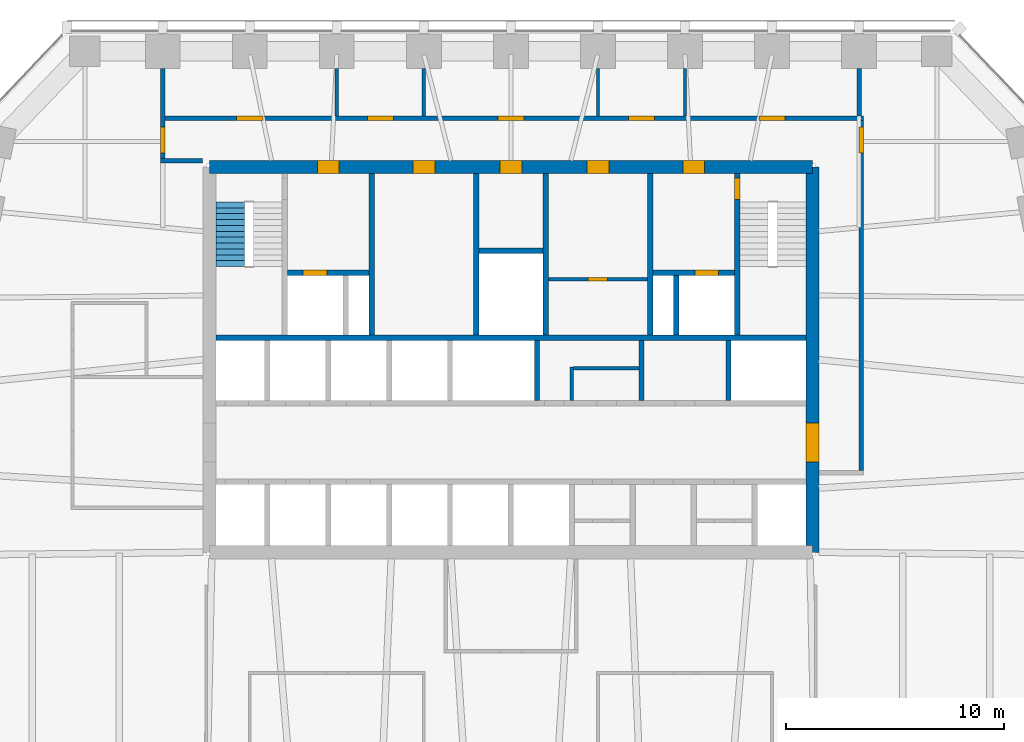
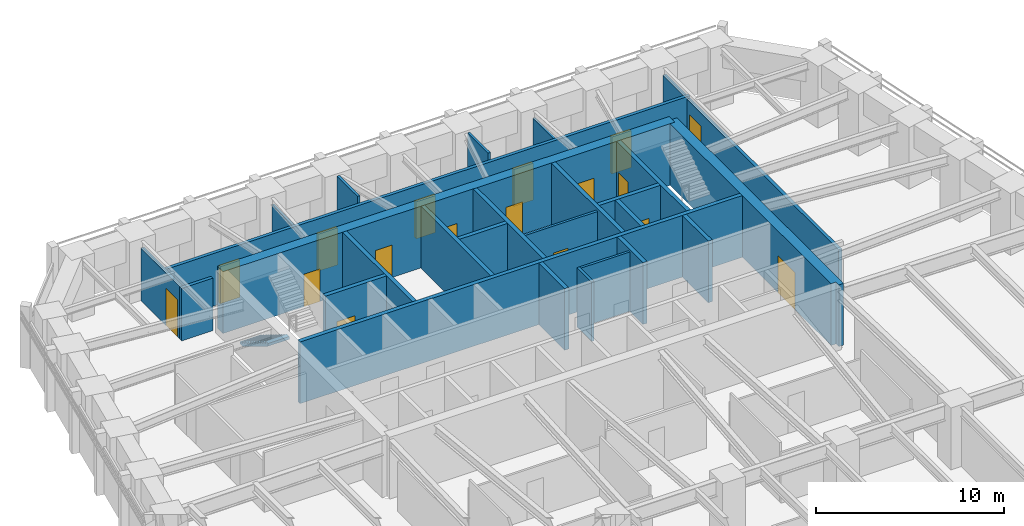
# One storey, part 7 of 10: 27 walls, 17 doors, 1 stair flight, 17 openings, 1 element without a shape of its own.
"""IFC4 building model written with IfcOpenShell, lengths in metres."""

from ifc_helpers import new_model, si_unit, direction, frame, frame_2d, origin, place, context, subcontext, project, spatial, polyline, rectangle, outline, extrude, material, layer, layer_set, type_object, element, fill, aggregate, save


model = new_model("IFC4")

# Units and contexts
model_context = context("Model", 3, precision=1e-05, world=origin(), true_north=direction((0.0, 1.0)))
body_context = subcontext(model_context, "Body", "Model", "MODEL_VIEW")
ifc_project = project(units=[si_unit("LENGTHUNIT", "METRE"), si_unit("AREAUNIT", "SQUARE_METRE"), si_unit("VOLUMEUNIT", "CUBIC_METRE"), si_unit("PLANEANGLEUNIT", "RADIAN"), si_unit("MASSUNIT", "GRAM", prefix="KILO")], contexts=[model_context])

# Site, building, storey
site_placement = place(None, origin())
site = spatial("IfcSite", under=ifc_project, at=site_placement, CompositionType="ELEMENT")
building_placement = place(site_placement, origin())
building = spatial("IfcBuilding", under=site, at=building_placement, Name="Isbrekke Arena Tower", CompositionType="ELEMENT")
storey_placement = place(building_placement, frame((0.0, 0.0, 234.0)))
storey = spatial("IfcBuildingStorey", under=building, at=storey_placement, Name="L54", CompositionType="ELEMENT", Elevation=234.0)

# Wall, opening, door
ifc_material_1 = material(Name="Concrete B55 (C55/67)", Category="concrete")
ifc_layer_1 = layer(ifc_material_1, 0.60009765625)
ifc_layer_set_1 = layer_set([ifc_layer_1], Name="CW4 CORE WALL 600")
wall_type_1 = type_object("IfcWallType", Name="CW4 CORE WALL 600", PredefinedType="SHEAR", material=ifc_layer_set_1)
wall_1_placement = place(storey_placement, frame((13.85009765625, 6.14990234375, 0.0), z_axis=(0.0, 0.0, 1.0), x_axis=(0.0, 1.0, 0.0)))
wall_1 = element("IfcWall", 1, at=wall_1_placement, inside=storey, type_object=wall_type_1, Name="Core wall E L54", PredefinedType="SHEAR", context=body_context, shape_type="SweptSolid", body=[
    extrude(outline(polyline([(0.0, -0.300048828125), (17.7001953125, -0.300048828125), (17.7001953125, 0.0), (17.400146484375, 0.0), (17.400146484375, 0.300048828125), (0.300048828125, 0.300048828125), (0.300048828125, 0.0), (0.0, 0.0), (0.0, -0.300048828125)])), origin(), (0.0, 0.0, 1.0), 4.0),
])
opening_1_placement = place(wall_1_placement, frame((4.14990234375, 0.0, 0.0)))
opening_1 = element("IfcOpeningElement", 2, at=opening_1_placement, cuts=wall_1, Name="Opening D1", PredefinedType="OPENING", context=body_context, shape_type="SweptSolid", body=[
    extrude(rectangle(XDim=1.800048828125, YDim=2.39990234375, at=frame_2d((0.89990234375, 1.199951171875))), frame((0.0, 0.31494140625, 0.0), z_axis=(0.0, -1.0, 0.0), x_axis=(1.0, 0.0, 0.0)), (0.0, 0.0, 1.0), 0.6298828125),
])
ifc_material_2 = material(Name="Steel-framed glazed fire door", Category="steel")
door_type_1 = type_object("IfcDoorType", Name="D1 CORE LOBBY DOOR 1800 x 2400", OperationType="DOUBLE_DOOR_SINGLE_SWING", PredefinedType="DOOR", material=ifc_material_2)
door_1_placement = place(opening_1_placement, origin())
door_1 = element("IfcDoor", 3, at=door_1_placement, inside=storey, type_object=door_type_1, Name="D1 lift lobby door east L54", OperationType="DOUBLE_DOOR_SINGLE_SWING", OverallHeight=2.39990234375, OverallWidth=1.800048828125, PredefinedType="DOOR", context=body_context, shape_type="SweptSolid", body=[
    extrude(rectangle(XDim=1.800048828125, YDim=2.39990234375, at=frame_2d((0.89990234375, 1.199951171875))), frame((0.0, 0.2998046875, 0.0), z_axis=(0.0, -1.0, 0.0), x_axis=(1.0, 0.0, 0.0)), (0.0, 0.0, 1.0), 0.599609375),
])
fill(opening_1, door_1)

# Wall, openings, doors
wall_2_placement = place(storey_placement, frame((13.85009765625, 23.85009765625, 0.0), z_axis=(0.0, 0.0, 1.0), x_axis=(-1.0, 0.0, 0.0)))
wall_2 = element("IfcWall", 4, at=wall_2_placement, inside=storey, type_object=wall_type_1, Name="Core wall N L54", PredefinedType="SHEAR", context=body_context, shape_type="SweptSolid", body=[
    extrude(rectangle(XDim=27.7001953125, YDim=0.60009765625, at=frame_2d((13.85009765625, 0.0))), origin(), (0.0, 0.0, 1.0), 4.0),
])
opening_2_placement = place(wall_2_placement, frame((21.75, 0.0, 0.0)))
opening_2 = element("IfcOpeningElement", 5, at=opening_2_placement, cuts=wall_2, Name="Opening D3", PredefinedType="OPENING", context=body_context, shape_type="SweptSolid", body=[
    extrude(rectangle(XDim=1.0, YDim=2.10009765625, at=frame_2d((0.5, 1.050048828125))), frame((0.0, 0.31494140625, 0.0), z_axis=(0.0, -1.0, 0.0), x_axis=(1.0, 0.0, 0.0)), (0.0, 0.0, 1.0), 0.6298828125),
])
opening_3_placement = place(wall_2_placement, frame((4.949951171875, 0.0, 0.0)))
opening_3 = element("IfcOpeningElement", 6, at=opening_3_placement, cuts=wall_2, Name="Opening D3", PredefinedType="OPENING", context=body_context, shape_type="SweptSolid", body=[
    extrude(rectangle(XDim=1.0, YDim=2.10009765625, at=frame_2d((0.5, 1.050048828125))), frame((0.0, 0.31494140625, 0.0), z_axis=(0.0, -1.0, 0.0), x_axis=(1.0, 0.0, 0.0)), (0.0, 0.0, 1.0), 0.6298828125),
])
opening_4_placement = place(wall_2_placement, frame((17.35009765625, 0.0, 0.0)))
opening_4 = element("IfcOpeningElement", 7, at=opening_4_placement, cuts=wall_2, Name="Opening D4", PredefinedType="OPENING", context=body_context, shape_type="SweptSolid", body=[
    extrude(rectangle(XDim=1.0, YDim=2.10009765625, at=frame_2d((0.5, 1.050048828125))), frame((0.0, 0.31494140625, 0.0), z_axis=(0.0, -1.0, 0.0), x_axis=(1.0, 0.0, 0.0)), (0.0, 0.0, 1.0), 0.6298828125),
])
opening_5_placement = place(wall_2_placement, frame((13.35009765625, 0.0, 0.0)))
opening_5 = element("IfcOpeningElement", 8, at=opening_5_placement, cuts=wall_2, Name="Opening D4", PredefinedType="OPENING", context=body_context, shape_type="SweptSolid", body=[
    extrude(rectangle(XDim=1.0, YDim=2.10009765625, at=frame_2d((0.5, 1.050048828125))), frame((0.0, 0.31494140625, 0.0), z_axis=(0.0, -1.0, 0.0), x_axis=(1.0, 0.0, 0.0)), (0.0, 0.0, 1.0), 0.6298828125),
])
opening_6_placement = place(wall_2_placement, frame((9.35009765625, 0.0, 0.0)))
opening_6 = element("IfcOpeningElement", 9, at=opening_6_placement, cuts=wall_2, Name="Opening D4", PredefinedType="OPENING", context=body_context, shape_type="SweptSolid", body=[
    extrude(rectangle(XDim=1.0, YDim=2.10009765625, at=frame_2d((0.5, 1.050048828125))), frame((0.0, 0.31494140625, 0.0), z_axis=(0.0, -1.0, 0.0), x_axis=(1.0, 0.0, 0.0)), (0.0, 0.0, 1.0), 0.6298828125),
])
ifc_material_3 = material(Name="Steel fire door", Category="steel")
door_type_2 = type_object("IfcDoorType", Name="D3 FIRE LOBBY DOOR 1000 x 2100", OperationType="SINGLE_SWING_RIGHT", PredefinedType="DOOR", material=ifc_material_3)
door_2_placement = place(opening_2_placement, origin())
door_2 = element("IfcDoor", 10, at=door_2_placement, inside=storey, type_object=door_type_2, Name="D3 fire-fighting lobby door L54", OperationType="SINGLE_SWING_RIGHT", OverallHeight=2.10009765625, OverallWidth=1.0, PredefinedType="DOOR", context=body_context, shape_type="SweptSolid", body=[
    extrude(rectangle(XDim=1.0, YDim=2.10009765625, at=frame_2d((0.5, 1.050048828125))), frame((0.0, 0.2998046875, 0.0), z_axis=(0.0, -1.0, 0.0), x_axis=(1.0, 0.0, 0.0)), (0.0, 0.0, 1.0), 0.599609375),
])
fill(opening_2, door_2)
door_3_placement = place(opening_3_placement, origin())
door_3 = element("IfcDoor", 11, at=door_3_placement, inside=storey, type_object=door_type_2, Name="D3 fire-fighting lobby door L54", OperationType="SINGLE_SWING_RIGHT", OverallHeight=2.10009765625, OverallWidth=1.0, PredefinedType="DOOR", context=body_context, shape_type="SweptSolid", body=[
    extrude(rectangle(XDim=1.0, YDim=2.10009765625, at=frame_2d((0.5, 1.050048828125))), frame((0.0, 0.2998046875, 0.0), z_axis=(0.0, -1.0, 0.0), x_axis=(1.0, 0.0, 0.0)), (0.0, 0.0, 1.0), 0.599609375),
])
fill(opening_3, door_3)
ifc_material_4 = material(Name="Timber door", Category="wood")
door_type_3 = type_object("IfcDoorType", Name="D4 WC DOOR 1000 x 2100", OperationType="SINGLE_SWING_LEFT", PredefinedType="DOOR", material=ifc_material_4)
door_4_placement = place(opening_4_placement, origin())
door_4 = element("IfcDoor", 12, at=door_4_placement, inside=storey, type_object=door_type_3, Name="D4 wc female door L54", OperationType="SINGLE_SWING_LEFT", OverallHeight=2.10009765625, OverallWidth=1.0, PredefinedType="DOOR", context=body_context, shape_type="SweptSolid", body=[
    extrude(rectangle(XDim=1.0, YDim=2.10009765625, at=frame_2d((0.5, 1.050048828125))), frame((0.0, 0.2998046875, 0.0), z_axis=(0.0, -1.0, 0.0), x_axis=(1.0, 0.0, 0.0)), (0.0, 0.0, 1.0), 0.599609375),
])
fill(opening_4, door_4)
door_5_placement = place(opening_5_placement, origin())
door_5 = element("IfcDoor", 13, at=door_5_placement, inside=storey, type_object=door_type_3, Name="D4 accessible wc door L54", OperationType="SINGLE_SWING_LEFT", OverallHeight=2.10009765625, OverallWidth=1.0, PredefinedType="DOOR", context=body_context, shape_type="SweptSolid", body=[
    extrude(rectangle(XDim=1.0, YDim=2.10009765625, at=frame_2d((0.5, 1.050048828125))), frame((0.0, 0.2998046875, 0.0), z_axis=(0.0, -1.0, 0.0), x_axis=(1.0, 0.0, 0.0)), (0.0, 0.0, 1.0), 0.599609375),
])
fill(opening_5, door_5)
door_6_placement = place(opening_6_placement, origin())
door_6 = element("IfcDoor", 14, at=door_6_placement, inside=storey, type_object=door_type_3, Name="D4 wc male door L54", OperationType="SINGLE_SWING_LEFT", OverallHeight=2.10009765625, OverallWidth=1.0, PredefinedType="DOOR", context=body_context, shape_type="SweptSolid", body=[
    extrude(rectangle(XDim=1.0, YDim=2.10009765625, at=frame_2d((0.5, 1.050048828125))), frame((0.0, 0.2998046875, 0.0), z_axis=(0.0, -1.0, 0.0), x_axis=(1.0, 0.0, 0.0)), (0.0, 0.0, 1.0), 0.599609375),
])
fill(opening_6, door_6)

# Walls
ifc_material_5 = material(Name="Concrete B45 (C45/55)", Category="concrete")
ifc_layer_2 = layer(ifc_material_5, 0.25)
ifc_layer_set_2 = layer_set([ifc_layer_2], Name="CW6 SHAFT WALL 250")
wall_type_2 = type_object("IfcWallType", Name="CW6 SHAFT WALL 250", PredefinedType="SHEAR", material=ifc_layer_set_2)
wall_3_placement = place(storey_placement, frame((-13.550048828125, 16.0, 0.0), z_axis=(0.0, 0.0, 1.0), x_axis=(1.0, 0.0, 0.0)))
element("IfcWall", 15, at=wall_3_placement, inside=storey, type_object=wall_type_2, Name="Core wall NB L54", PredefinedType="SHEAR", context=body_context, shape_type="SweptSolid", body=[
    extrude(rectangle(XDim=27.10009765625, YDim=0.25, at=frame_2d((13.550048828125, 0.0))), origin(), (0.0, 0.0, 1.0), 4.0),
])
for number, where, z_axis, x_axis, name in (
    (16, (1.199951171875, 13.125, 0.0), (0.0, 0.0, 1.0), (0.0, 1.0, 0.0), "Core wall SN05 L54"),
    (17, (6.0, 13.125, 0.0), (0.0, 0.0, 1.0), (0.0, 1.0, 0.0), "Core wall SN06 L54"),
    (18, (10.0, 13.125, 0.0), (0.0, 0.0, 1.0), (0.0, 1.0, 0.0), "Core wall SN07 L54"),
):
    element("IfcWall", number, at=place(storey_placement, frame(where, z_axis=z_axis, x_axis=x_axis)), inside=storey, type_object=wall_type_2, Name=name, PredefinedType="SHEAR", context=body_context, shape_type="SweptSolid", body=[
        extrude(rectangle(XDim=2.75, YDim=0.25, at=frame_2d((1.375, 0.0))), origin(), (0.0, 0.0, 1.0), 4.0),
    ])
for number, where, z_axis, x_axis, name in (
    (19, (-6.39990234375, 16.125, 0.0), (0.0, 0.0, 1.0), (0.0, 1.0, 0.0), "Core wall NV02 L54"),
    (20, (-1.60009765625, 16.125, 0.0), (0.0, 0.0, 1.0), (0.0, 1.0, 0.0), "Core wall NV03 L54"),
    (21, (1.60009765625, 16.125, 0.0), (0.0, 0.0, 1.0), (0.0, 1.0, 0.0), "Core wall NV04 L54"),
    (22, (6.39990234375, 16.125, 0.0), (0.0, 0.0, 1.0), (0.0, 1.0, 0.0), "Core wall NV05 L54"),
):
    element("IfcWall", number, at=place(storey_placement, frame(where, z_axis=z_axis, x_axis=x_axis)), inside=storey, type_object=wall_type_2, Name=name, PredefinedType="SHEAR", context=body_context, shape_type="SweptSolid", body=[
        extrude(rectangle(XDim=7.425048828125, YDim=0.25, at=frame_2d((3.71240234375, 0.0))), origin(), (0.0, 0.0, 1.0), 4.0),
    ])

# Wall, opening, door
wall_4_placement = place(storey_placement, frame((10.39990234375, 16.125, 0.0), z_axis=(0.0, 0.0, 1.0), x_axis=(0.0, 1.0, 0.0)))
wall_4 = element("IfcWall", 23, at=wall_4_placement, inside=storey, type_object=wall_type_2, Name="Core wall NV06 L54", PredefinedType="SHEAR", context=body_context, shape_type="SweptSolid", body=[
    extrude(rectangle(XDim=7.425048828125, YDim=0.25, at=frame_2d((3.71240234375, 0.0))), origin(), (0.0, 0.0, 1.0), 4.0),
])
opening_7_placement = place(wall_4_placement, frame((6.22509765625, 0.0, 0.0)))
opening_7 = element("IfcOpeningElement", 24, at=opening_7_placement, cuts=wall_4, Name="Opening D2", PredefinedType="OPENING", context=body_context, shape_type="SweptSolid", body=[
    extrude(rectangle(XDim=1.0, YDim=2.10009765625, at=frame_2d((0.5, 1.050048828125))), frame((0.0, 0.139892578125, 0.0), z_axis=(0.0, -1.0, 0.0), x_axis=(1.0, 0.0, 0.0)), (0.0, 0.0, 1.0), 0.27978515625),
])
ifc_material_6 = material(Name="Steel fire door", Category="steel")
door_type_4 = type_object("IfcDoorType", Name="D2 STAIR DOOR 1000 x 2100", OperationType="SINGLE_SWING_LEFT", PredefinedType="DOOR", material=ifc_material_6)
door_7_placement = place(opening_7_placement, origin())
door_7 = element("IfcDoor", 25, at=door_7_placement, inside=storey, type_object=door_type_4, Name="D2 stair door ST2 L54", OperationType="SINGLE_SWING_LEFT", OverallHeight=2.10009765625, OverallWidth=1.0, PredefinedType="DOOR", context=body_context, shape_type="SweptSolid", body=[
    extrude(rectangle(XDim=1.0, YDim=2.10009765625, at=frame_2d((0.5, 1.050048828125))), frame((0.0, 0.124755859375, 0.0), z_axis=(0.0, -1.0, 0.0), x_axis=(1.0, 0.0, 0.0)), (0.0, 0.0, 1.0), 0.24951171875),
])
fill(opening_7, door_7)

wall_5_placement = place(storey_placement, frame((-10.27490234375, 19.0, 0.0), z_axis=(0.0, 0.0, 1.0), x_axis=(1.0, 0.0, 0.0)))
wall_5 = element("IfcWall", 26, at=wall_5_placement, inside=storey, type_object=wall_type_2, Name="Core wall NFW L54", PredefinedType="SHEAR", context=body_context, shape_type="SweptSolid", body=[
    extrude(rectangle(XDim=3.75, YDim=0.25, at=frame_2d((1.875, 0.0))), origin(), (0.0, 0.0, 1.0), 4.0),
])
opening_8_placement = place(wall_5_placement, frame((0.72509765625, 0.0, 0.0)))
opening_8 = element("IfcOpeningElement", 27, at=opening_8_placement, cuts=wall_5, Name="Opening LD2", PredefinedType="OPENING", context=body_context, shape_type="SweptSolid", body=[
    extrude(rectangle(XDim=1.10009765625, YDim=2.10009765625, at=frame_2d((0.550048828125, 1.050048828125))), frame((0.0, 0.139892578125, 0.0), z_axis=(0.0, -1.0, 0.0), x_axis=(1.0, 0.0, 0.0)), (0.0, 0.0, 1.0), 0.27978515625),
])
ifc_material_7 = material(Name="Stainless steel lift landing door", Category="steel")
door_type_5 = type_object("IfcDoorType", Name="LD2 FIRE-FIGHTING LIFT LANDING DOOR 1100 x 2100", OperationType="SLIDING_TO_RIGHT", PredefinedType="DOOR", material=ifc_material_7)
door_8_placement = place(opening_8_placement, origin())
door_8 = element("IfcDoor", 28, at=door_8_placement, inside=storey, type_object=door_type_5, Name="LD2 lift landing door LF L54", OperationType="SLIDING_TO_RIGHT", OverallHeight=2.10009765625, OverallWidth=1.10009765625, PredefinedType="DOOR", context=body_context, shape_type="SweptSolid", body=[
    extrude(rectangle(XDim=1.10009765625, YDim=2.10009765625, at=frame_2d((0.550048828125, 1.050048828125))), frame((0.0, 0.124755859375, 0.0), z_axis=(0.0, -1.0, 0.0), x_axis=(1.0, 0.0, 0.0)), (0.0, 0.0, 1.0), 0.24951171875),
])
fill(opening_8, door_8)

wall_6_placement = place(storey_placement, frame((6.52490234375, 19.0, 0.0), z_axis=(0.0, 0.0, 1.0), x_axis=(1.0, 0.0, 0.0)))
wall_6 = element("IfcWall", 29, at=wall_6_placement, inside=storey, type_object=wall_type_2, Name="Core wall NFE L54", PredefinedType="SHEAR", context=body_context, shape_type="SweptSolid", body=[
    extrude(rectangle(XDim=3.75, YDim=0.25, at=frame_2d((1.875, 0.0))), origin(), (0.0, 0.0, 1.0), 4.0),
])
opening_9_placement = place(wall_6_placement, frame((1.925048828125, 0.0, 0.0)))
opening_9 = element("IfcOpeningElement", 30, at=opening_9_placement, cuts=wall_6, Name="Opening LD2", PredefinedType="OPENING", context=body_context, shape_type="SweptSolid", body=[
    extrude(rectangle(XDim=1.10009765625, YDim=2.10009765625, at=frame_2d((0.550048828125, 1.050048828125))), frame((0.0, 0.139892578125, 0.0), z_axis=(0.0, -1.0, 0.0), x_axis=(1.0, 0.0, 0.0)), (0.0, 0.0, 1.0), 0.27978515625),
])
door_9_placement = place(opening_9_placement, origin())
door_9 = element("IfcDoor", 31, at=door_9_placement, inside=storey, type_object=door_type_5, Name="LD2 lift landing door LF L54", OperationType="SLIDING_TO_RIGHT", OverallHeight=2.10009765625, OverallWidth=1.10009765625, PredefinedType="DOOR", context=body_context, shape_type="SweptSolid", body=[
    extrude(rectangle(XDim=1.10009765625, YDim=2.10009765625, at=frame_2d((0.550048828125, 1.050048828125))), frame((0.0, 0.124755859375, 0.0), z_axis=(0.0, -1.0, 0.0), x_axis=(1.0, 0.0, 0.0)), (0.0, 0.0, 1.0), 0.24951171875),
])
fill(opening_9, door_9)

# Walls
wall_7_placement = place(storey_placement, frame((7.60009765625, 16.125, 0.0), z_axis=(0.0, 0.0, 1.0), x_axis=(0.0, 1.0, 0.0)))
element("IfcWall", 32, at=wall_7_placement, inside=storey, type_object=wall_type_2, Name="Core wall NFS2 L54", PredefinedType="SHEAR", context=body_context, shape_type="SweptSolid", body=[
    extrude(rectangle(XDim=2.75, YDim=0.25, at=frame_2d((1.375, 0.0))), origin(), (0.0, 0.0, 1.0), 4.0),
])
wall_8_placement = place(storey_placement, frame((-1.47509765625, 20.0, 0.0), z_axis=(0.0, 0.0, 1.0), x_axis=(1.0, 0.0, 0.0)))
element("IfcWall", 33, at=wall_8_placement, inside=storey, type_object=wall_type_2, Name="Core wall NWC L54", PredefinedType="SHEAR", context=body_context, shape_type="SweptSolid", body=[
    extrude(rectangle(XDim=2.9501953125, YDim=0.25, at=frame_2d((1.47509765625, 0.0))), origin(), (0.0, 0.0, 1.0), 4.0),
])
ifc_material_8 = material(Name="Gypsum board partition on steel studs", Category="steel")
ifc_layer_3 = layer(ifc_material_8, 0.14990234375)
ifc_layer_set_3 = layer_set([ifc_layer_3], Name="IW1 PARTITION 150")
wall_type_3 = type_object("IfcWallType", Name="IW1 PARTITION 150", PredefinedType="PARTITIONING", material=ifc_layer_set_3)
wall_9_placement = place(storey_placement, frame((-8.0, 26.199951171875, 0.0), z_axis=(0.0, 0.0, 1.0), x_axis=(0.0, 1.0, 0.0)))
element("IfcWall", 34, at=wall_9_placement, inside=storey, type_object=wall_type_3, Name="IW1 partition 150 L54", PredefinedType="PARTITIONING", context=body_context, shape_type="SweptSolid", body=[
    extrude(rectangle(XDim=2.175048828125, YDim=0.14990234375, at=frame_2d((1.08740234375, 0.0))), origin(), (0.0, 0.0, 1.0), 3.39990234375),
])
for number, where, z_axis, x_axis, name in (
    (35, (-4.0, 26.199951171875, 0.0), (0.0, 0.0, 1.0), (0.0, 1.0, 0.0), "IW1 partition 150 L54"),
    (36, (4.0, 26.199951171875, 0.0), (0.0, 0.0, 1.0), (0.0, 1.0, 0.0), "IW1 partition 150 L54"),
):
    element("IfcWall", number, at=place(storey_placement, frame(where, z_axis=z_axis, x_axis=x_axis)), inside=storey, type_object=wall_type_3, Name=name, PredefinedType="PARTITIONING", context=body_context, shape_type="SweptSolid", body=[
        extrude(rectangle(XDim=2.175048828125, YDim=0.14990234375, at=frame_2d((1.08740234375, 0.0))), origin(), (0.0, 0.0, 1.0), 3.85009765625),
    ])
wall_10_placement = place(storey_placement, frame((8.0, 26.199951171875, 0.0), z_axis=(0.0, 0.0, 1.0), x_axis=(0.0, 1.0, 0.0)))
element("IfcWall", 37, at=wall_10_placement, inside=storey, type_object=wall_type_3, Name="IW1 partition 150 L54", PredefinedType="PARTITIONING", context=body_context, shape_type="SweptSolid", body=[
    extrude(rectangle(XDim=2.175048828125, YDim=0.14990234375, at=frame_2d((1.08740234375, 0.0))), origin(), (0.0, 0.0, 1.0), 3.39990234375),
])
ifc_material_9 = material(Name="Gypsum board fire-cell wall on steel studs, two layers each side", Category="steel")
ifc_layer_4 = layer(ifc_material_9, 0.199951171875)
ifc_layer_set_4 = layer_set([ifc_layer_4], Name="IW3 FIRE-CELL WALL 200")
wall_type_4 = type_object("IfcWallType", Name="IW3 FIRE-CELL WALL 200", PredefinedType="PARTITIONING", material=ifc_layer_set_4)
wall_11_placement = place(storey_placement, frame((-16.10009765625, 24.14990234375, 0.0), z_axis=(0.0, 0.0, 1.0), x_axis=(1.0, 0.0, 0.0)))
element("IfcWall", 38, at=wall_11_placement, inside=storey, type_object=wall_type_4, Name="IW3 fire-cell wall 200 L54", PredefinedType="PARTITIONING", context=body_context, shape_type="SweptSolid", body=[
    extrude(rectangle(XDim=1.920166015625, YDim=0.199951171875, at=frame_2d((0.9599609375, 0.0))), origin(), (0.0, 0.0, 1.0), 3.39990234375),
])

# Wall, openings, doors
wall_12_placement = place(storey_placement, frame((-15.89990234375, 26.10009765625, 0.0), z_axis=(0.0, 0.0, 1.0), x_axis=(1.0, 0.0, 0.0)))
wall_12 = element("IfcWall", 39, at=wall_12_placement, inside=storey, type_object=wall_type_4, Name="IW3 fire-cell wall 200 L54", PredefinedType="PARTITIONING", context=body_context, shape_type="SweptSolid", body=[
    extrude(rectangle(XDim=32.099853515625, YDim=0.199951171875, at=frame_2d((16.0498046875, 0.0))), origin(), (0.0, 0.0, 1.0), 3.39990234375),
])
opening_10_placement = place(wall_12_placement, frame((3.300048828125, 0.0, 0.0)))
opening_10 = element("IfcOpeningElement", 40, at=opening_10_placement, cuts=wall_12, Name="Opening D12", PredefinedType="OPENING", context=body_context, shape_type="SweptSolid", body=[
    extrude(rectangle(XDim=1.199951171875, YDim=2.39990234375, at=frame_2d((0.60009765625, 1.199951171875))), frame((0.0, 0.11474609375, 0.0), z_axis=(0.0, -1.0, 0.0), x_axis=(1.0, 0.0, 0.0)), (0.0, 0.0, 1.0), 0.229736328125),
])
opening_11_placement = place(wall_12_placement, frame((9.300048828125, 0.0, 0.0)))
opening_11 = element("IfcOpeningElement", 41, at=opening_11_placement, cuts=wall_12, Name="Opening D12", PredefinedType="OPENING", context=body_context, shape_type="SweptSolid", body=[
    extrude(rectangle(XDim=1.199951171875, YDim=2.39990234375, at=frame_2d((0.60009765625, 1.199951171875))), frame((0.0, 0.11474609375, 0.0), z_axis=(0.0, -1.0, 0.0), x_axis=(1.0, 0.0, 0.0)), (0.0, 0.0, 1.0), 0.229736328125),
])
opening_12_placement = place(wall_12_placement, frame((15.300048828125, 0.0, 0.0)))
opening_12 = element("IfcOpeningElement", 42, at=opening_12_placement, cuts=wall_12, Name="Opening D12", PredefinedType="OPENING", context=body_context, shape_type="SweptSolid", body=[
    extrude(rectangle(XDim=1.199951171875, YDim=2.39990234375, at=frame_2d((0.60009765625, 1.199951171875))), frame((0.0, 0.11474609375, 0.0), z_axis=(0.0, -1.0, 0.0), x_axis=(1.0, 0.0, 0.0)), (0.0, 0.0, 1.0), 0.229736328125),
])
opening_13_placement = place(wall_12_placement, frame((21.300048828125, 0.0, 0.0)))
opening_13 = element("IfcOpeningElement", 43, at=opening_13_placement, cuts=wall_12, Name="Opening D12", PredefinedType="OPENING", context=body_context, shape_type="SweptSolid", body=[
    extrude(rectangle(XDim=1.199951171875, YDim=2.39990234375, at=frame_2d((0.60009765625, 1.199951171875))), frame((0.0, 0.11474609375, 0.0), z_axis=(0.0, -1.0, 0.0), x_axis=(1.0, 0.0, 0.0)), (0.0, 0.0, 1.0), 0.229736328125),
])
opening_14_placement = place(wall_12_placement, frame((27.300048828125, 0.0, 0.0)))
opening_14 = element("IfcOpeningElement", 44, at=opening_14_placement, cuts=wall_12, Name="Opening D12", PredefinedType="OPENING", context=body_context, shape_type="SweptSolid", body=[
    extrude(rectangle(XDim=1.199951171875, YDim=2.39990234375, at=frame_2d((0.60009765625, 1.199951171875))), frame((0.0, 0.11474609375, 0.0), z_axis=(0.0, -1.0, 0.0), x_axis=(1.0, 0.0, 0.0)), (0.0, 0.0, 1.0), 0.229736328125),
])
ifc_material_10 = material(Name="Timber fire door with vision panel", Category="wood")
door_type_6 = type_object("IfcDoorType", Name="D12 SUITE ENTRANCE DOOR 1200 x 2400", OperationType="SINGLE_SWING_LEFT", PredefinedType="DOOR", material=ifc_material_10)
door_10_placement = place(opening_10_placement, origin())
door_10 = element("IfcDoor", 45, at=door_10_placement, inside=storey, type_object=door_type_6, Name="D12 executive office door L54", OperationType="SINGLE_SWING_LEFT", OverallHeight=2.39990234375, OverallWidth=1.199951171875, PredefinedType="DOOR", context=body_context, shape_type="SweptSolid", body=[
    extrude(rectangle(XDim=1.199951171875, YDim=2.39990234375, at=frame_2d((0.60009765625, 1.199951171875))), frame((0.0, 0.099609375, 0.0), z_axis=(0.0, -1.0, 0.0), x_axis=(1.0, 0.0, 0.0)), (0.0, 0.0, 1.0), 0.199462890625),
])
fill(opening_10, door_10)
door_11_placement = place(opening_11_placement, origin())
door_11 = element("IfcDoor", 46, at=door_11_placement, inside=storey, type_object=door_type_6, Name="D12 office door L54", OperationType="SINGLE_SWING_LEFT", OverallHeight=2.39990234375, OverallWidth=1.199951171875, PredefinedType="DOOR", context=body_context, shape_type="SweptSolid", body=[
    extrude(rectangle(XDim=1.199951171875, YDim=2.39990234375, at=frame_2d((0.60009765625, 1.199951171875))), frame((0.0, 0.099609375, 0.0), z_axis=(0.0, -1.0, 0.0), x_axis=(1.0, 0.0, 0.0)), (0.0, 0.0, 1.0), 0.199462890625),
])
fill(opening_11, door_11)
door_12_placement = place(opening_12_placement, origin())
door_12 = element("IfcDoor", 47, at=door_12_placement, inside=storey, type_object=door_type_6, Name="D12 meeting room door L54", OperationType="SINGLE_SWING_LEFT", OverallHeight=2.39990234375, OverallWidth=1.199951171875, PredefinedType="DOOR", context=body_context, shape_type="SweptSolid", body=[
    extrude(rectangle(XDim=1.199951171875, YDim=2.39990234375, at=frame_2d((0.60009765625, 1.199951171875))), frame((0.0, 0.099609375, 0.0), z_axis=(0.0, -1.0, 0.0), x_axis=(1.0, 0.0, 0.0)), (0.0, 0.0, 1.0), 0.199462890625),
])
fill(opening_12, door_12)
door_13_placement = place(opening_13_placement, origin())
door_13 = element("IfcDoor", 48, at=door_13_placement, inside=storey, type_object=door_type_6, Name="D12 office door L54", OperationType="SINGLE_SWING_LEFT", OverallHeight=2.39990234375, OverallWidth=1.199951171875, PredefinedType="DOOR", context=body_context, shape_type="SweptSolid", body=[
    extrude(rectangle(XDim=1.199951171875, YDim=2.39990234375, at=frame_2d((0.60009765625, 1.199951171875))), frame((0.0, 0.099609375, 0.0), z_axis=(0.0, -1.0, 0.0), x_axis=(1.0, 0.0, 0.0)), (0.0, 0.0, 1.0), 0.199462890625),
])
fill(opening_13, door_13)
door_14_placement = place(opening_14_placement, origin())
door_14 = element("IfcDoor", 49, at=door_14_placement, inside=storey, type_object=door_type_6, Name="D12 executive office door L54", OperationType="SINGLE_SWING_LEFT", OverallHeight=2.39990234375, OverallWidth=1.199951171875, PredefinedType="DOOR", context=body_context, shape_type="SweptSolid", body=[
    extrude(rectangle(XDim=1.199951171875, YDim=2.39990234375, at=frame_2d((0.60009765625, 1.199951171875))), frame((0.0, 0.099609375, 0.0), z_axis=(0.0, -1.0, 0.0), x_axis=(1.0, 0.0, 0.0)), (0.0, 0.0, 1.0), 0.199462890625),
])
fill(opening_14, door_14)

# Wall, opening, door
wall_13_placement = place(storey_placement, frame((-16.0, 24.25, 0.0), z_axis=(0.0, 0.0, 1.0), x_axis=(0.0, 1.0, 0.0)))
wall_13 = element("IfcWall", 50, at=wall_13_placement, inside=storey, type_object=wall_type_4, Name="IW3 fire-cell wall 200 L54", PredefinedType="PARTITIONING", context=body_context, shape_type="SweptSolid", body=[
    extrude(rectangle(XDim=4.125, YDim=0.199951171875, at=frame_2d((2.0625, 0.0))), origin(), (0.0, 0.0, 1.0), 3.39990234375),
])
opening_15_placement = place(wall_13_placement, frame((0.25, 0.0, 0.0)))
opening_15 = element("IfcOpeningElement", 51, at=opening_15_placement, cuts=wall_13, Name="Opening D12", PredefinedType="OPENING", context=body_context, shape_type="SweptSolid", body=[
    extrude(rectangle(XDim=1.199951171875, YDim=2.39990234375, at=frame_2d((0.60009765625, 1.199951171875))), frame((0.0, 0.11474609375, 0.0), z_axis=(0.0, -1.0, 0.0), x_axis=(1.0, 0.0, 0.0)), (0.0, 0.0, 1.0), 0.229736328125),
])
door_15_placement = place(opening_15_placement, origin())
door_15 = element("IfcDoor", 52, at=door_15_placement, inside=storey, type_object=door_type_6, Name="D12 suite entrance A door L54", OperationType="SINGLE_SWING_LEFT", OverallHeight=2.39990234375, OverallWidth=1.199951171875, PredefinedType="DOOR", context=body_context, shape_type="SweptSolid", body=[
    extrude(rectangle(XDim=1.199951171875, YDim=2.39990234375, at=frame_2d((0.60009765625, 1.199951171875))), frame((0.0, 0.099609375, 0.0), z_axis=(0.0, -1.0, 0.0), x_axis=(1.0, 0.0, 0.0)), (0.0, 0.0, 1.0), 0.199462890625),
])
fill(opening_15, door_15)

# Wall
wall_14_placement = place(storey_placement, frame((16.0, 26.199951171875, 0.0), z_axis=(0.0, 0.0, 1.0), x_axis=(0.0, 1.0, 0.0)))
element("IfcWall", 53, at=wall_14_placement, inside=storey, type_object=wall_type_4, Name="IW3 fire-cell wall 200 L54", PredefinedType="PARTITIONING", context=body_context, shape_type="SweptSolid", body=[
    extrude(rectangle(XDim=2.175048828125, YDim=0.199951171875, at=frame_2d((1.08740234375, 0.0))), origin(), (0.0, 0.0, 1.0), 3.39990234375),
])

# Wall, opening, door
wall_15_placement = place(storey_placement, frame((16.10009765625, 9.89990234375, 0.0), z_axis=(0.0, 0.0, 1.0), x_axis=(0.0, 1.0, 0.0)))
wall_15 = element("IfcWall", 54, at=wall_15_placement, inside=storey, type_object=wall_type_4, Name="IW3 fire-cell wall 200 L54", PredefinedType="PARTITIONING", context=body_context, shape_type="SweptSolid", body=[
    extrude(rectangle(XDim=16.10009765625, YDim=0.199951171875, at=frame_2d((8.050048828125, 0.0))), origin(), (0.0, 0.0, 1.0), 3.25),
])
opening_16_placement = place(wall_15_placement, frame((14.60009765625, 0.0, 0.0)))
opening_16 = element("IfcOpeningElement", 55, at=opening_16_placement, cuts=wall_15, Name="Opening D12", PredefinedType="OPENING", context=body_context, shape_type="SweptSolid", body=[
    extrude(rectangle(XDim=1.199951171875, YDim=2.39990234375, at=frame_2d((0.60009765625, 1.199951171875))), frame((0.0, 0.11474609375, 0.0), z_axis=(0.0, -1.0, 0.0), x_axis=(1.0, 0.0, 0.0)), (0.0, 0.0, 1.0), 0.229736328125),
])
door_16_placement = place(opening_16_placement, origin())
door_16 = element("IfcDoor", 56, at=door_16_placement, inside=storey, type_object=door_type_6, Name="D12 suite entrance A door L54", OperationType="SINGLE_SWING_LEFT", OverallHeight=2.39990234375, OverallWidth=1.199951171875, PredefinedType="DOOR", context=body_context, shape_type="SweptSolid", body=[
    extrude(rectangle(XDim=1.199951171875, YDim=2.39990234375, at=frame_2d((0.60009765625, 1.199951171875))), frame((0.0, 0.099609375, 0.0), z_axis=(0.0, -1.0, 0.0), x_axis=(1.0, 0.0, 0.0)), (0.0, 0.0, 1.0), 0.199462890625),
])
fill(opening_16, door_16)

ifc_material_11 = material(Name="Gypsum board fire-rated partition on steel studs, two layers each side", Category="steel")
ifc_layer_5 = layer(ifc_material_11, 0.14990234375)
ifc_layer_set_5 = layer_set([ifc_layer_5], Name="IW5 FIRE-RATED PARTITION 150")
wall_type_5 = type_object("IfcWallType", Name="IW5 FIRE-RATED PARTITION 150", PredefinedType="PARTITIONING", material=ifc_layer_set_5)
wall_16_placement = place(storey_placement, frame((1.72509765625, 18.699951171875, 0.0), z_axis=(0.0, 0.0, 1.0), x_axis=(1.0, 0.0, 0.0)))
wall_16 = element("IfcWall", 57, at=wall_16_placement, inside=storey, type_object=wall_type_5, Name="IW5 fire-rated partition L54 cleaner's store M", PredefinedType="PARTITIONING", context=body_context, shape_type="SweptSolid", body=[
    extrude(rectangle(XDim=4.5498046875, YDim=0.14990234375, at=frame_2d((2.27490234375, 0.0))), origin(), (0.0, 0.0, 1.0), 3.85009765625),
])
opening_17_placement = place(wall_16_placement, frame((1.824951171875, 0.0, 0.0)))
opening_17 = element("IfcOpeningElement", 58, at=opening_17_placement, cuts=wall_16, Name="Opening D5", PredefinedType="OPENING", context=body_context, shape_type="SweptSolid", body=[
    extrude(rectangle(XDim=0.89990234375, YDim=2.10009765625, at=frame_2d((0.449951171875, 1.050048828125))), frame((0.0, 0.08984375, 0.0), z_axis=(0.0, -1.0, 0.0), x_axis=(1.0, 0.0, 0.0)), (0.0, 0.0, 1.0), 0.1796875),
])
ifc_material_12 = material(Name="Steel fire door", Category="steel")
door_type_7 = type_object("IfcDoorType", Name="D5 SERVICE DOOR 900 x 2100", OperationType="SINGLE_SWING_LEFT", PredefinedType="DOOR", material=ifc_material_12)
door_17_placement = place(opening_17_placement, origin())
door_17 = element("IfcDoor", 59, at=door_17_placement, inside=storey, type_object=door_type_7, Name="D5 cleaner's store door L54", OperationType="SINGLE_SWING_LEFT", OverallHeight=2.10009765625, OverallWidth=0.89990234375, PredefinedType="DOOR", context=body_context, shape_type="SweptSolid", body=[
    extrude(rectangle(XDim=0.89990234375, YDim=2.10009765625, at=frame_2d((0.449951171875, 1.050048828125))), frame((0.0, 0.07470703125, 0.0), z_axis=(0.0, -1.0, 0.0), x_axis=(1.0, 0.0, 0.0)), (0.0, 0.0, 1.0), 0.1494140625),
])
fill(opening_17, door_17)

# Walls
wall_17_placement = place(storey_placement, frame((2.800048828125, 13.125, 0.0), z_axis=(0.0, 0.0, 1.0), x_axis=(0.0, 1.0, 0.0)))
element("IfcWall", 60, at=wall_17_placement, inside=storey, type_object=wall_type_5, Name="IW5 fire-rated partition L54 core service rooms 1", PredefinedType="PARTITIONING", context=body_context, shape_type="SweptSolid", body=[
    extrude(rectangle(XDim=1.550048828125, YDim=0.14990234375, at=frame_2d((0.77490234375, 0.0))), origin(), (0.0, 0.0, 1.0), 3.85009765625),
])
wall_18_placement = place(storey_placement, frame((2.875, 14.60009765625, 0.0), z_axis=(0.0, 0.0, 1.0), x_axis=(1.0, 0.0, 0.0)))
element("IfcWall", 61, at=wall_18_placement, inside=storey, type_object=wall_type_5, Name="IW5 fire-rated partition L54 core service rooms 2", PredefinedType="PARTITIONING", context=body_context, shape_type="SweptSolid", body=[
    extrude(rectangle(XDim=3.0, YDim=0.14990234375, at=frame_2d((1.5, 0.0))), origin(), (0.0, 0.0, 1.0), 3.85009765625),
])

# Stair, stair flight
ifc_material_13 = material(Name="Concrete B45 (C45/55) precast", Category="concrete")
stair_type = type_object("IfcStairType", Name="ST40 STAIR 1300 WIDE, 24 RISERS 167", PredefinedType="HALF_TURN_STAIR", material=ifc_material_13)
stair_placement = place(storey_placement, origin())
stair = element("IfcStair", 62, at=stair_placement, inside=storey, type_object=stair_type, Name="ST1 stair L54", PredefinedType="HALF_TURN_STAIR")
ifc_material_14 = material(Name="Concrete B45 (C45/55) precast", Category="concrete")
stair_flight_type = type_object("IfcStairFlightType", Name="SF 1300 FLIGHT", PredefinedType="STRAIGHT", material=ifc_material_14)
stair_flight_placement = place(storey_placement, frame((-12.89990234375, 22.25, 0.0), z_axis=(0.0, 0.0, 1.0), x_axis=(0.0, -1.0, 0.0)))
stair_flight = element("IfcStairFlight", 63, at=stair_flight_placement, type_object=stair_flight_type, Name="ST1 flight 1", NumberOfRisers=12, NumberOfTreads=11, PredefinedType="STRAIGHT", RiserHeight=0.166666667, TreadLength=0.27, context=body_context, shape_type="SweptSolid", body=[
    extrude(outline(polyline([(0.0, 0.0), (0.0, 0.166748046875), (0.27001953125, 0.166748046875), (0.27001953125, 0.333251953125), (0.5400390625, 0.333251953125), (0.5400390625, 0.5), (0.81005859375, 0.5), (0.81005859375, 0.666748046875), (1.080078125, 0.666748046875), (1.080078125, 0.833251953125), (1.35009765625, 0.833251953125), (1.35009765625, 1.0), (1.6201171875, 1.0), (1.6201171875, 1.166748046875), (1.889892578125, 1.166748046875), (1.889892578125, 1.333251953125), (2.159912109375, 1.333251953125), (2.159912109375, 1.5), (2.429931640625, 1.5), (2.429931640625, 1.666748046875), (2.699951171875, 1.666748046875), (2.699951171875, 1.833251953125), (2.969970703125, 1.833251953125), (2.969970703125, 2.0), (2.969970703125, 1.6572265625), (0.285400390625, 0.0), (0.0, 0.0)])), frame((0.0, 0.64990234375, 0.0), z_axis=(0.0, -1.0, 0.0), x_axis=(1.0, 0.0, 0.0)), (0.0, 0.0, 1.0), 1.300048828125),
])
aggregate(stair, [stair_flight])

save(model, "model.ifc")
